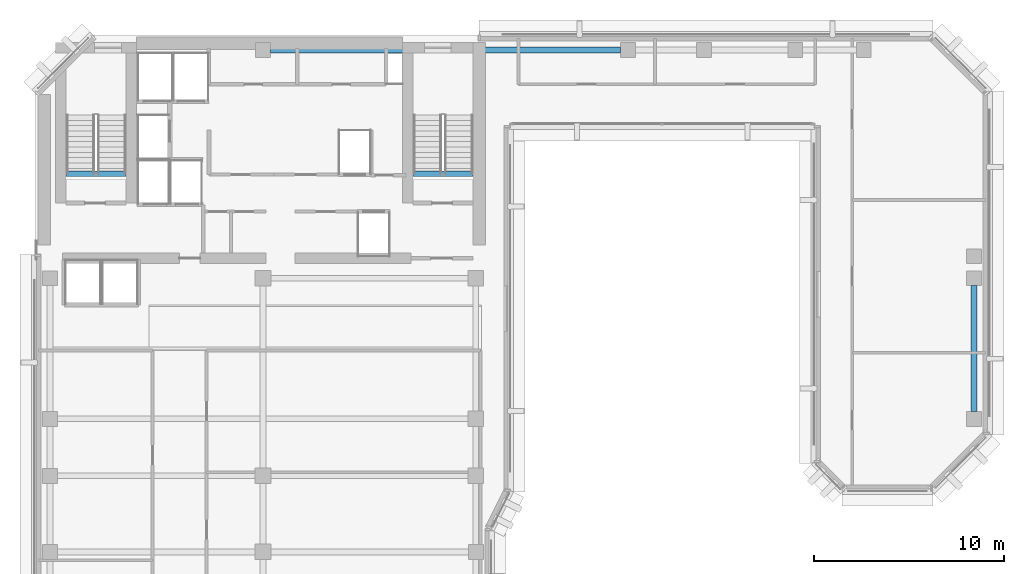
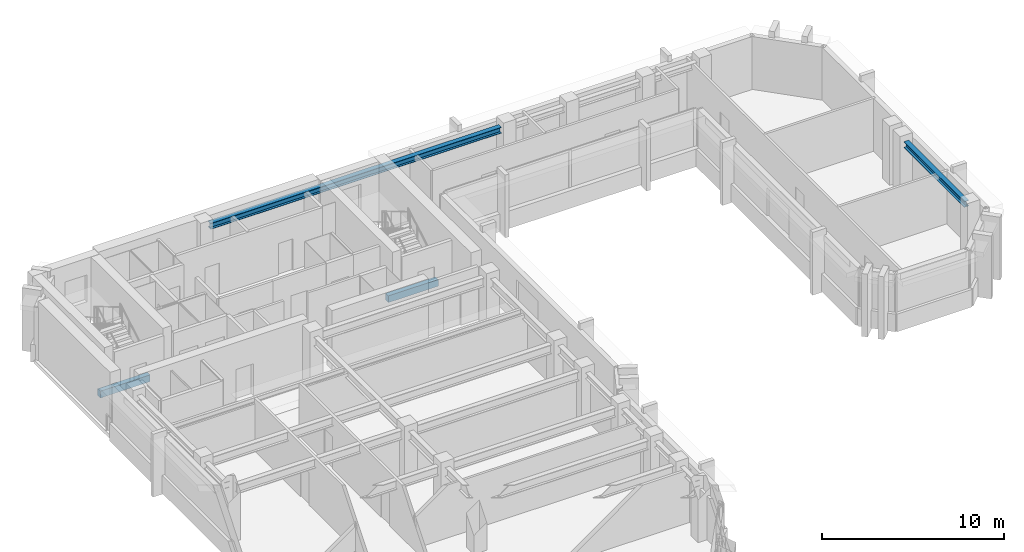
# One storey, part 3 of 11: 4 beams.
"""IFC4 building model written with IfcOpenShell, lengths in metres."""

from ifc_helpers import new_model, si_unit, direction, frame, origin, origin_2d, place, context, subcontext, project, spatial, rectangle, i_section, extrude, material, material_profile, profile_set, type_object, element, save


model = new_model("IFC4")

# Units and contexts
model_context = context("Model", 3, precision=1e-05, world=origin(), true_north=direction((0.0, 1.0)))
body_context = subcontext(model_context, "Body", "Model", "MODEL_VIEW")
ifc_project = project(units=[si_unit("LENGTHUNIT", "METRE"), si_unit("AREAUNIT", "SQUARE_METRE"), si_unit("VOLUMEUNIT", "CUBIC_METRE"), si_unit("PLANEANGLEUNIT", "RADIAN"), si_unit("MASSUNIT", "GRAM", prefix="KILO")], contexts=[model_context])

# Site, building, storey
site_placement = place(None, origin())
site = spatial("IfcSite", under=ifc_project, at=site_placement, CompositionType="ELEMENT")
building_placement = place(site_placement, origin())
building = spatial("IfcBuilding", under=site, at=building_placement, Name="Kefirva Bronze Tower", CompositionType="ELEMENT")
storey_placement = place(building_placement, frame((0.0, 0.0, 247.5)))
storey = spatial("IfcBuildingStorey", under=building, at=storey_placement, Name="L60", CompositionType="ELEMENT", Elevation=247.5)

# Beams
ifc_material_1 = material(Name="Concrete C50/60", Category="concrete")
ifc_material_profile_1 = material_profile(ifc_material_1, rectangle(XDim=0.300048828125, YDim=0.449951171875, at=origin_2d()), Name="RC 300x450")
ifc_profile_set_1 = profile_set([ifc_material_profile_1], Name="Concrete C50/60")
beam_type_1 = type_object("IfcBeamType", Name="RC Stair Trimmer Beam 300x450", PredefinedType="BEAM", material=ifc_profile_set_1)
beam_1_placement = place(storey_placement, frame((1.64501953125, 38.699951171875, -0.22509765625), z_axis=(1.0, 0.0, 0.0), x_axis=(0.0, 1.0, 0.0)))
element("IfcBeam", 1, at=beam_1_placement, inside=storey, type_object=beam_type_1, Name="L60 Stair 1 Landing Trimmer Beam", PredefinedType="BEAM", context=body_context, shape_type="SweptSolid", body=[
    extrude(rectangle(XDim=0.300048828125, YDim=0.449951171875, at=origin_2d()), origin(), (0.0, 0.0, 1.0), 3.14990234375),
])
beam_2_placement = place(storey_placement, frame((19.89501953125, 38.699951171875, -0.22509765625), z_axis=(1.0, 0.0, 0.0), x_axis=(0.0, 1.0, 0.0)))
element("IfcBeam", 2, at=beam_2_placement, inside=storey, type_object=beam_type_1, Name="L60 Stair 2 Landing Trimmer Beam", PredefinedType="BEAM", context=body_context, shape_type="SweptSolid", body=[
    extrude(rectangle(XDim=0.300048828125, YDim=0.449951171875, at=origin_2d()), origin(), (0.0, 0.0, 1.0), 3.159912109375),
])
ifc_material_2 = material(Name="Steel S355", Category="steel")
ifc_material_profile_2 = material_profile(ifc_material_2, i_section(OverallWidth=0.300048828125, OverallDepth=0.39990234375, WebThickness=0.013427734375, FlangeThickness=0.02392578125, at=origin_2d()), Name="HEB 400")
ifc_profile_set_2 = profile_set([ifc_material_profile_2], Name="Steel S355")
beam_type_2 = type_object("IfcBeamType", Name="Steel Spandrel HEB 400 Ext", PredefinedType="SPANDREL", material=ifc_profile_set_2)
beam_3_placement = place(storey_placement, frame((12.389892578125, 45.199951171875, 3.340087890625), z_axis=(1.0, 0.0, 0.0), x_axis=(0.0, 1.0, 0.0)))
element("IfcBeam", 3, at=beam_3_placement, inside=storey, type_object=beam_type_2, Name="L60 BM-L60-EW-12-452", PredefinedType="SPANDREL", context=body_context, shape_type="SweptSolid", body=[
    extrude(i_section(OverallWidth=0.300048828125, OverallDepth=0.39990234375, WebThickness=0.013427734375, FlangeThickness=0.02392578125, at=origin_2d()), origin(), (0.0, 0.0, 1.0), 18.420166015625),
])
beam_4_placement = place(storey_placement, frame((49.39990234375, 26.18994140625, 3.340087890625), z_axis=(0.0, 1.0, 0.0), x_axis=(-1.0, 0.0, 0.0)))
element("IfcBeam", 4, at=beam_4_placement, inside=storey, type_object=beam_type_2, Name="L60 BM-L60-NS-494-25", PredefinedType="SPANDREL", context=body_context, shape_type="SweptSolid", body=[
    extrude(i_section(OverallWidth=0.300048828125, OverallDepth=0.39990234375, WebThickness=0.013427734375, FlangeThickness=0.02392578125, at=origin_2d()), origin(), (0.0, 0.0, 1.0), 6.6201171875),
])

save(model, "model.ifc")
